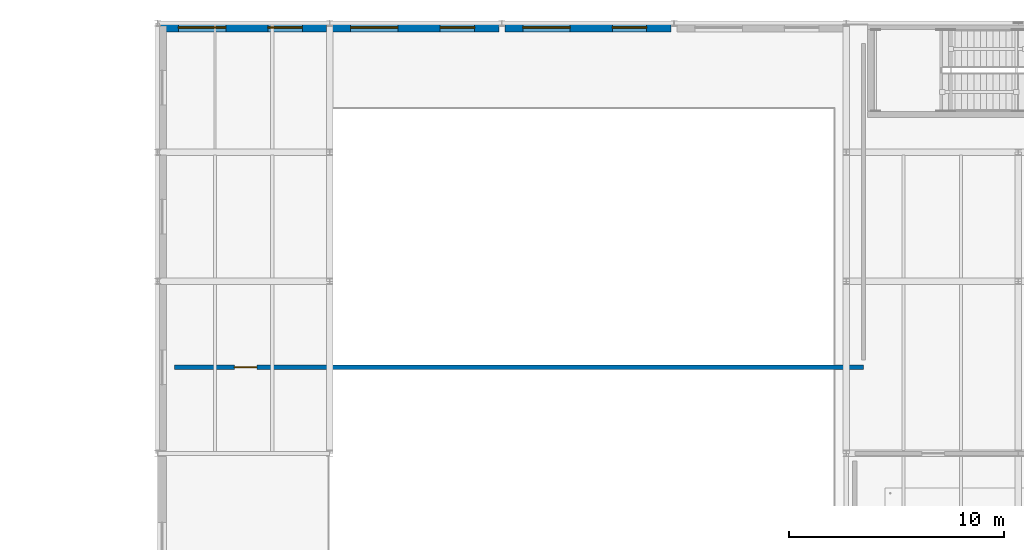
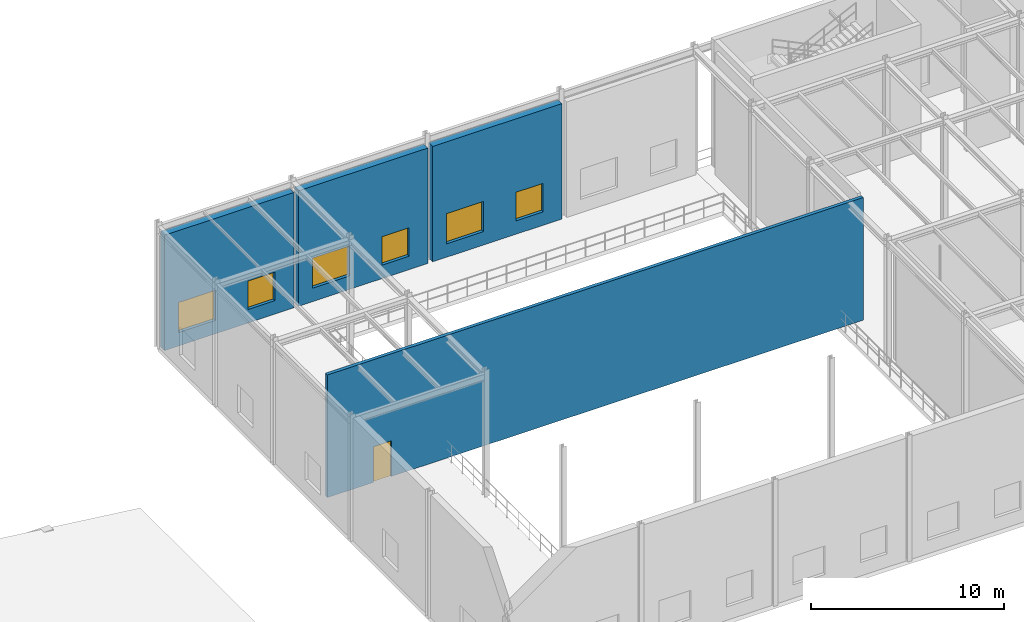
# One storey, part 95 of 138: 6 windows, 4 walls, 1 door, 7 openings.
"""IFC4 building model written with IfcOpenShell, lengths in metres."""

from ifc_helpers import new_model, si_unit, direction, frame, frame_2d, origin, place, context, subcontext, project, spatial, rectangle, extrude, material, layer, layer_set, type_object, element, fill, save


model = new_model("IFC4")

# Units and contexts
model_context = context("Model", 3, precision=1e-05, world=origin(), true_north=direction((0.0, 1.0)))
body_context = subcontext(model_context, "Body", "Model", "MODEL_VIEW")
ifc_project = project(units=[si_unit("LENGTHUNIT", "METRE"), si_unit("AREAUNIT", "SQUARE_METRE"), si_unit("VOLUMEUNIT", "CUBIC_METRE"), si_unit("PLANEANGLEUNIT", "RADIAN"), si_unit("MASSUNIT", "GRAM", prefix="KILO")], contexts=[model_context])

# Site, building, storey
site_placement = place(None, origin())
site = spatial("IfcSite", under=ifc_project, at=site_placement, CompositionType="ELEMENT")
building_placement = place(site_placement, origin())
building = spatial("IfcBuilding", under=site, at=building_placement, Name="Sundkrona Museum", CompositionType="ELEMENT")
storey_placement = place(building_placement, frame((0.0, 0.0, 9.60009765625)))
storey = spatial("IfcBuildingStorey", under=building, at=storey_placement, Name="L02", CompositionType="ELEMENT", Elevation=9.60009765625)

# Wall, openings, windows
ifc_material_1 = material(Name="Scanian Polychrome Clay Brickwork 420 mm", Category="masonry")
ifc_layer_1 = layer(ifc_material_1, 0.419921875)
ifc_layer_set_1 = layer_set([ifc_layer_1], Name="Scanian Polychrome Clay Brickwork 420 mm")
wall_type_1 = type_object("IfcWallType", Name="W-EX-420", PredefinedType="SOLIDWALL", material=ifc_layer_set_1)
wall_1_placement = place(storey_placement, frame((104.14208984375, 113.7900390625, 0.0), z_axis=(0.0, 0.0, 1.0), x_axis=(1.0, 0.0, 0.0)))
wall_1 = element("IfcWall", 1, at=wall_1_placement, inside=storey, type_object=wall_type_1, Name="L02 Facade Wall 0356", PredefinedType="SOLIDWALL", context=body_context, shape_type="SweptSolid", body=[
    extrude(rectangle(XDim=7.7158203125, YDim=0.419921875, at=frame_2d((3.85791015625, 0.0))), origin(), (0.0, 0.0, 1.0), 7.284912109375),
])
opening_1_placement = place(wall_1_placement, frame((0.8291015625, 0.0, 0.85009765625)))
opening_1 = element("IfcOpeningElement", 2, at=opening_1_placement, cuts=wall_1, Name="Opening WN-LB-220x190", PredefinedType="OPENING", context=body_context, shape_type="SweptSolid", body=[
    extrude(rectangle(XDim=2.199951171875, YDim=1.89990234375, at=frame_2d((1.10009765625, 0.949951171875))), frame((0.0, 0.219970703125, 0.0), z_axis=(0.0, -1.0, 0.0), x_axis=(1.0, 0.0, 0.0)), (0.0, 0.0, 1.0), 0.43994140625),
])
opening_2_placement = place(wall_1_placement, frame((4.987060546875, 0.0, 0.85009765625)))
opening_2 = element("IfcOpeningElement", 3, at=opening_2_placement, cuts=wall_1, Name="Opening WN-LB-160x180", PredefinedType="OPENING", context=body_context, shape_type="SweptSolid", body=[
    extrude(rectangle(XDim=1.60009765625, YDim=1.800048828125, at=frame_2d((0.800048828125, 0.89990234375))), frame((0.0, 0.219970703125, 0.0), z_axis=(0.0, -1.0, 0.0), x_axis=(1.0, 0.0, 0.0)), (0.0, 0.0, 1.0), 0.43994140625),
])
ifc_material_2 = material(Name="Triple Low-E Argon Glazing in Bronze-Anodised Aluminium", Category="aluminium")
window_type_1 = type_object("IfcWindowType", Name="WN-LB-160x180", PartitioningType="DOUBLE_PANEL_VERTICAL", PredefinedType="WINDOW", material=ifc_material_2)
window_1_placement = place(opening_2_placement, origin())
window_1 = element("IfcWindow", 4, at=window_1_placement, inside=storey, type_object=window_type_1, Name="L02 Conservation laboratory deep-reveal window 1600x1800 WIN-L02-0459", OverallHeight=1.800048828125, OverallWidth=1.60009765625, PartitioningType="DOUBLE_PANEL_VERTICAL", PredefinedType="WINDOW", context=body_context, shape_type="SweptSolid", body=[
    extrude(rectangle(XDim=1.60009765625, YDim=1.800048828125, at=frame_2d((0.800048828125, 0.89990234375))), frame((0.0, 0.030029296875, 0.0), z_axis=(0.0, -1.0, 0.0), x_axis=(1.0, 0.0, 0.0)), (0.0, 0.0, 1.0), 0.06005859375),
])
fill(opening_2, window_1)
window_type_2 = type_object("IfcWindowType", Name="WN-LB-220x190", PartitioningType="TRIPLE_PANEL_VERTICAL", PredefinedType="WINDOW", material=ifc_material_2)
window_2_placement = place(opening_1_placement, origin())
window_2 = element("IfcWindow", 5, at=window_2_placement, inside=storey, type_object=window_type_2, Name="L02 Restoration studio north-light window 2200x1900 WIN-L02-0458", OverallHeight=1.89990234375, OverallWidth=2.199951171875, PartitioningType="TRIPLE_PANEL_VERTICAL", PredefinedType="WINDOW", context=body_context, shape_type="SweptSolid", body=[
    extrude(rectangle(XDim=2.199951171875, YDim=1.89990234375, at=frame_2d((1.10009765625, 0.949951171875))), frame((0.0, 0.030029296875, 0.0), z_axis=(0.0, -1.0, 0.0), x_axis=(1.0, 0.0, 0.0)), (0.0, 0.0, 1.0), 0.06005859375),
])
fill(opening_1, window_2)

wall_2_placement = place(storey_placement, frame((112.14208984375, 113.7900390625, 0.0), z_axis=(0.0, 0.0, 1.0), x_axis=(1.0, 0.0, 0.0)))
wall_2 = element("IfcWall", 6, at=wall_2_placement, inside=storey, type_object=wall_type_1, Name="L02 Facade Wall 0357", PredefinedType="SOLIDWALL", context=body_context, shape_type="SweptSolid", body=[
    extrude(rectangle(XDim=7.7158203125, YDim=0.419921875, at=frame_2d((3.85791015625, 0.0))), origin(), (0.0, 0.0, 1.0), 7.284912109375),
])
opening_3_placement = place(wall_2_placement, frame((0.8291015625, 0.0, 0.85009765625)))
opening_3 = element("IfcOpeningElement", 7, at=opening_3_placement, cuts=wall_2, Name="Opening WN-LB-220x190", PredefinedType="OPENING", context=body_context, shape_type="SweptSolid", body=[
    extrude(rectangle(XDim=2.199951171875, YDim=1.89990234375, at=frame_2d((1.10009765625, 0.949951171875))), frame((0.0, 0.219970703125, 0.0), z_axis=(0.0, -1.0, 0.0), x_axis=(1.0, 0.0, 0.0)), (0.0, 0.0, 1.0), 0.43994140625),
])
opening_4_placement = place(wall_2_placement, frame((4.987060546875, 0.0, 0.85009765625)))
opening_4 = element("IfcOpeningElement", 8, at=opening_4_placement, cuts=wall_2, Name="Opening WN-LB-160x180", PredefinedType="OPENING", context=body_context, shape_type="SweptSolid", body=[
    extrude(rectangle(XDim=1.60009765625, YDim=1.800048828125, at=frame_2d((0.800048828125, 0.89990234375))), frame((0.0, 0.219970703125, 0.0), z_axis=(0.0, -1.0, 0.0), x_axis=(1.0, 0.0, 0.0)), (0.0, 0.0, 1.0), 0.43994140625),
])
window_3_placement = place(opening_4_placement, origin())
window_3 = element("IfcWindow", 9, at=window_3_placement, inside=storey, type_object=window_type_1, Name="L02 Conservation laboratory deep-reveal window 1600x1800 WIN-L02-0461", OverallHeight=1.800048828125, OverallWidth=1.60009765625, PartitioningType="DOUBLE_PANEL_VERTICAL", PredefinedType="WINDOW", context=body_context, shape_type="SweptSolid", body=[
    extrude(rectangle(XDim=1.60009765625, YDim=1.800048828125, at=frame_2d((0.800048828125, 0.89990234375))), frame((0.0, 0.030029296875, 0.0), z_axis=(0.0, -1.0, 0.0), x_axis=(1.0, 0.0, 0.0)), (0.0, 0.0, 1.0), 0.06005859375),
])
fill(opening_4, window_3)
window_4_placement = place(opening_3_placement, origin())
window_4 = element("IfcWindow", 10, at=window_4_placement, inside=storey, type_object=window_type_2, Name="L02 Restoration studio north-light window 2200x1900 WIN-L02-0460", OverallHeight=1.89990234375, OverallWidth=2.199951171875, PartitioningType="TRIPLE_PANEL_VERTICAL", PredefinedType="WINDOW", context=body_context, shape_type="SweptSolid", body=[
    extrude(rectangle(XDim=2.199951171875, YDim=1.89990234375, at=frame_2d((1.10009765625, 0.949951171875))), frame((0.0, 0.030029296875, 0.0), z_axis=(0.0, -1.0, 0.0), x_axis=(1.0, 0.0, 0.0)), (0.0, 0.0, 1.0), 0.06005859375),
])
fill(opening_3, window_4)

wall_3_placement = place(storey_placement, frame((120.14208984375, 113.7900390625, 0.0), z_axis=(0.0, 0.0, 1.0), x_axis=(1.0, 0.0, 0.0)))
wall_3 = element("IfcWall", 11, at=wall_3_placement, inside=storey, type_object=wall_type_1, Name="L02 Facade Wall 0358", PredefinedType="SOLIDWALL", context=body_context, shape_type="SweptSolid", body=[
    extrude(rectangle(XDim=7.7158203125, YDim=0.419921875, at=frame_2d((3.85791015625, 0.0))), origin(), (0.0, 0.0, 1.0), 7.284912109375),
])
opening_5_placement = place(wall_3_placement, frame((0.8291015625, 0.0, 0.85009765625)))
opening_5 = element("IfcOpeningElement", 12, at=opening_5_placement, cuts=wall_3, Name="Opening WN-LB-220x190", PredefinedType="OPENING", context=body_context, shape_type="SweptSolid", body=[
    extrude(rectangle(XDim=2.199951171875, YDim=1.89990234375, at=frame_2d((1.10009765625, 0.949951171875))), frame((0.0, 0.219970703125, 0.0), z_axis=(0.0, -1.0, 0.0), x_axis=(1.0, 0.0, 0.0)), (0.0, 0.0, 1.0), 0.43994140625),
])
opening_6_placement = place(wall_3_placement, frame((4.987060546875, 0.0, 0.85009765625)))
opening_6 = element("IfcOpeningElement", 13, at=opening_6_placement, cuts=wall_3, Name="Opening WN-LB-160x180", PredefinedType="OPENING", context=body_context, shape_type="SweptSolid", body=[
    extrude(rectangle(XDim=1.60009765625, YDim=1.800048828125, at=frame_2d((0.800048828125, 0.89990234375))), frame((0.0, 0.219970703125, 0.0), z_axis=(0.0, -1.0, 0.0), x_axis=(1.0, 0.0, 0.0)), (0.0, 0.0, 1.0), 0.43994140625),
])
window_5_placement = place(opening_6_placement, origin())
window_5 = element("IfcWindow", 14, at=window_5_placement, inside=storey, type_object=window_type_1, Name="L02 Conservation laboratory deep-reveal window 1600x1800 WIN-L02-0463", OverallHeight=1.800048828125, OverallWidth=1.60009765625, PartitioningType="DOUBLE_PANEL_VERTICAL", PredefinedType="WINDOW", context=body_context, shape_type="SweptSolid", body=[
    extrude(rectangle(XDim=1.60009765625, YDim=1.800048828125, at=frame_2d((0.800048828125, 0.89990234375))), frame((0.0, 0.030029296875, 0.0), z_axis=(0.0, -1.0, 0.0), x_axis=(1.0, 0.0, 0.0)), (0.0, 0.0, 1.0), 0.06005859375),
])
fill(opening_6, window_5)
window_6_placement = place(opening_5_placement, origin())
window_6 = element("IfcWindow", 15, at=window_6_placement, inside=storey, type_object=window_type_2, Name="L02 Restoration studio north-light window 2200x1900 WIN-L02-0462", OverallHeight=1.89990234375, OverallWidth=2.199951171875, PartitioningType="TRIPLE_PANEL_VERTICAL", PredefinedType="WINDOW", context=body_context, shape_type="SweptSolid", body=[
    extrude(rectangle(XDim=2.199951171875, YDim=1.89990234375, at=frame_2d((1.10009765625, 0.949951171875))), frame((0.0, 0.030029296875, 0.0), z_axis=(0.0, -1.0, 0.0), x_axis=(1.0, 0.0, 0.0)), (0.0, 0.0, 1.0), 0.06005859375),
])
fill(opening_5, window_6)

# Wall, opening, door
ifc_material_3 = material(Name="Moisture-resistant Tile Partition 200 mm", Category="other")
ifc_layer_2 = layer(ifc_material_3, 0.199951171875)
ifc_layer_set_2 = layer_set([ifc_layer_2], Name="Moisture-resistant Tile Partition 200 mm")
wall_type_2 = type_object("IfcWallType", Name="W-PT-200", PredefinedType="PARTITIONING", material=ifc_layer_set_2)
wall_4_placement = place(storey_placement, frame((104.800048828125, 98.0, 0.0), z_axis=(0.0, 0.0, 1.0), x_axis=(1.0, 0.0, 0.0)))
wall_4 = element("IfcWall", 16, at=wall_4_placement, inside=storey, type_object=wall_type_2, Name="L02 Partition Volume 5 Conservation Spine / Inorganic Conservation Laboratory", PredefinedType="PARTITIONING", context=body_context, shape_type="SweptSolid", body=[
    extrude(rectangle(XDim=32.0, YDim=0.199951171875, at=frame_2d((16.0, 0.0))), origin(), (0.0, 0.0, 1.0), 7.739990234375),
])
opening_7_placement = place(wall_4_placement, frame((2.770263671875, 0.0, 0.0)))
opening_7 = element("IfcOpeningElement", 17, at=opening_7_placement, cuts=wall_4, Name="Opening D-LAB-105", PredefinedType="OPENING", context=body_context, shape_type="SweptSolid", body=[
    extrude(rectangle(XDim=1.050048828125, YDim=2.25, at=frame_2d((0.52490234375, 1.125))), frame((0.0, 0.10986328125, 0.0), z_axis=(0.0, -1.0, 0.0), x_axis=(1.0, 0.0, 0.0)), (0.0, 0.0, 1.0), 0.219970703125),
])
ifc_material_4 = material(Name="Laminated Timber Lab Door", Category="wood")
door_type = type_object("IfcDoorType", Name="D-LAB-105", OperationType="NOTDEFINED", PredefinedType="DOOR", material=ifc_material_4)
door_placement = place(opening_7_placement, origin())
door = element("IfcDoor", 18, at=door_placement, inside=storey, type_object=door_type, Name="L02 Interior Door DR-ADJ-L02-0141", OperationType="SINGLE_SWING_LEFT", OverallHeight=2.25, OverallWidth=1.050048828125, PredefinedType="DOOR", context=body_context, shape_type="SweptSolid", body=[
    extrude(rectangle(XDim=1.050048828125, YDim=2.25, at=frame_2d((0.52490234375, 1.125))), frame((0.0, 0.02490234375, 0.0), z_axis=(0.0, -1.0, 0.0), x_axis=(1.0, 0.0, 0.0)), (0.0, 0.0, 1.0), 0.050048828125),
])
fill(opening_7, door)

save(model, "model.ifc")
